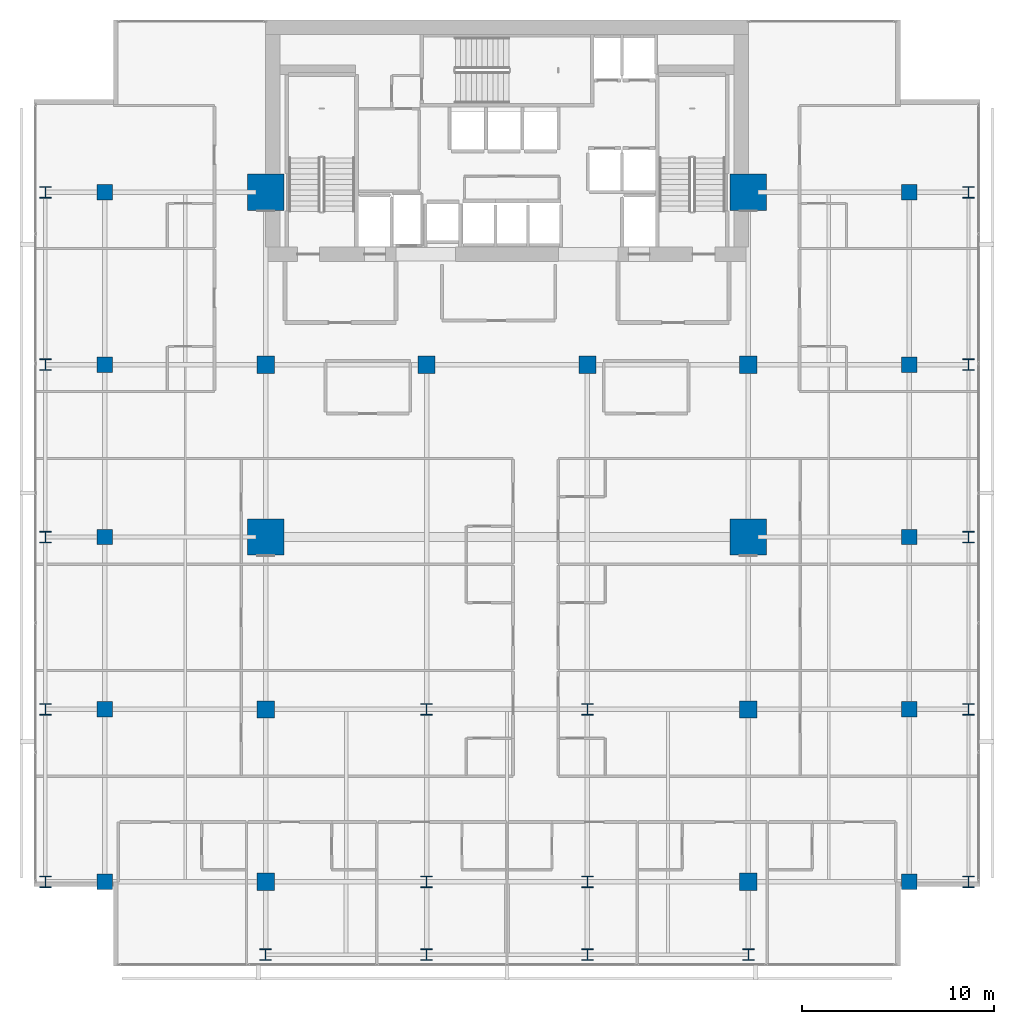
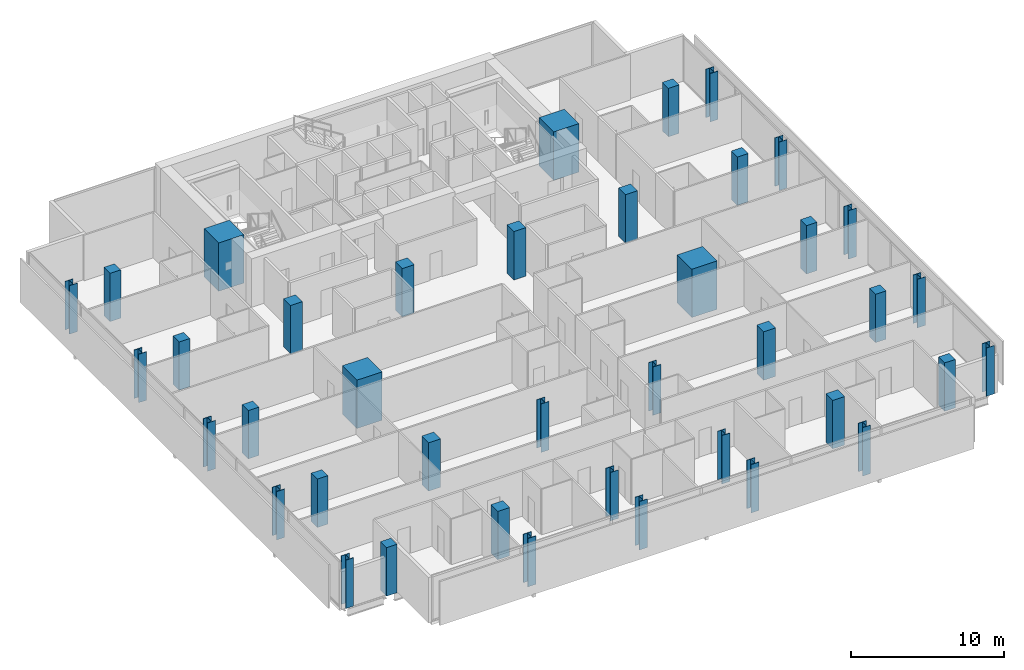
# One storey, part 1 of 33: 40 columns.
"""IFC4 building model written with IfcOpenShell, lengths in metres."""

import ifcopenshell
import ifcopenshell.guid

model = None  # the IFC model being written
_history = None  # IfcOwnerHistory: only IFC2X3 demands one
_inside = {}  # id of a spatial element -> (the spatial element, [elements in it])
_under = {}  # id of a project, library or spatial element -> (it, [spatial elements below it])
_declared = {}  # id of a project -> (the project, [libraries it declares])
_typed = {}  # id of a type object -> (the type object, [elements of that type])
_made_of = {}  # id of a material, layer set ... -> (it, [elements and type objects made of it])


def new_model(schema):
    """Start an empty IFC model of exactly this schema.

    Asked for "IFC4X3", IfcOpenShell would pick the latest addendum, in which some entities
    have other attributes; the version numbers below select the first issue.
    IFC2X3 requires an IfcOwnerHistory on every rooted entity: one is made here for all.
    """
    global model, _history
    if schema == "IFC4X3":
        model = ifcopenshell.file(schema_version=(4, 3, 0, 0))
    else:
        model = ifcopenshell.file(schema=schema)
    _inside.clear()
    _under.clear()
    _declared.clear()
    _typed.clear()
    _made_of.clear()
    _history = None
    if model.schema == "IFC2X3":
        org = make("IfcOrganization", Name="unknown")
        user = make(
            "IfcPersonAndOrganization",
            ThePerson=make("IfcPerson", FamilyName="unknown"),
            TheOrganization=org,
        )
        app = make(
            "IfcApplication",
            ApplicationDeveloper=org,
            Version="unknown",
            ApplicationFullName="unknown",
            ApplicationIdentifier="unknown",
        )
        _history = make(
            "IfcOwnerHistory",
            OwningUser=user,
            OwningApplication=app,
            ChangeAction="ADDED",
            CreationDate=0,
        )
    return model


def make(cls, **values):
    """One entity of the class cls with the attributes given. An attribute that is None is left unset."""
    return model.create_entity(
        cls, **{name: value for name, value in values.items() if value is not None}
    )


def rooted(cls, **values):
    """An entity with a GlobalId (a new one), such as an element, a storey or a relation."""
    return make(cls, GlobalId=ifcopenshell.guid.new(), OwnerHistory=_history, **values)


def si_unit(unit_type, name, prefix=None):
    """IfcSIUnit, for example si_unit("LENGTHUNIT", "METRE", prefix="MILLI")."""
    return make("IfcSIUnit", UnitType=unit_type, Prefix=prefix, Name=name)


def assignment(units):
    """IfcUnitAssignment: the units of a project."""
    return None if units is None else make("IfcUnitAssignment", Units=units)


def point(xyz):
    """IfcCartesianPoint."""
    return None if xyz is None else make("IfcCartesianPoint", Coordinates=xyz)


def direction(xyz):
    """IfcDirection."""
    return None if xyz is None else make("IfcDirection", DirectionRatios=xyz)


def frame(location, z_axis=None, x_axis=None):
    """IfcAxis2Placement3D, a coordinate frame: its origin and axes. An axis left out is left unset."""
    return make(
        "IfcAxis2Placement3D",
        Location=point(location),
        Axis=direction(z_axis),
        RefDirection=direction(x_axis),
    )


def frame_2d(location, x_axis=None):
    """IfcAxis2Placement2D, a coordinate frame in the plane: its origin and x axis."""
    return make(
        "IfcAxis2Placement2D", Location=point(location), RefDirection=direction(x_axis)
    )


def origin():
    """The frame at (0, 0, 0) with its axes left unset."""
    return frame((0.0, 0.0, 0.0))


def origin_2d():
    """The frame at (0, 0) in the plane with its x axis left unset."""
    return frame_2d((0.0, 0.0))


def place(relative_to, where):
    """IfcLocalPlacement: puts the frame where relative to a parent placement (None: the world)."""
    return make(
        "IfcLocalPlacement", PlacementRelTo=relative_to, RelativePlacement=where
    )


def context(
    kind, dimensions, precision=None, world=None, true_north=None, identifier=None
):
    """IfcGeometricRepresentationContext, for example the 3D "Model" context."""
    return make(
        "IfcGeometricRepresentationContext",
        ContextIdentifier=identifier,
        ContextType=kind,
        CoordinateSpaceDimension=dimensions,
        Precision=precision,
        WorldCoordinateSystem=world,
        TrueNorth=true_north,
    )


def subcontext(parent, identifier, kind, view, scale=None):
    """IfcGeometricRepresentationSubContext, for example "Body" below "Model"."""
    return make(
        "IfcGeometricRepresentationSubContext",
        ContextIdentifier=identifier,
        ContextType=kind,
        ParentContext=parent,
        TargetScale=scale,
        TargetView=view,
    )


def project(units=None, contexts=None):
    """IfcProject with its units and contexts."""
    return rooted(
        "IfcProject",
        Name="project",
        RepresentationContexts=contexts,
        UnitsInContext=assignment(units),
    )


def spatial(cls, under=None, at=None, **own):
    """A site, building, storey or space (cls), placed at a placement, below another one or the project."""
    s = rooted(cls, ObjectPlacement=at, **own)
    if under is not None:
        _under.setdefault(under.id(), (under, []))[1].append(s)
    return s


def profile(cls, at=None, kind="AREA", **sizes):
    """A parametric profile (cls). Its sizes go by their IFC names, for example OverallWidth=200.0."""
    return make(cls, ProfileType=kind, Position=at, **sizes)


def rectangle(**sizes):
    """IfcRectangleProfileDef."""
    return profile("IfcRectangleProfileDef", **sizes)


def i_section(**sizes):
    """IfcIShapeProfileDef."""
    return profile("IfcIShapeProfileDef", **sizes)


def extrude(swept, where, along, depth):
    """IfcExtrudedAreaSolid: the profile swept, set in the frame where, extruded along a direction by depth."""
    return make(
        "IfcExtrudedAreaSolid",
        SweptArea=swept,
        Position=where,
        ExtrudedDirection=direction(along),
        Depth=depth,
    )


def shape(context_of_items, identifier, shape_type, items):
    """IfcShapeRepresentation: the items that make up one representation, for example the "Body"."""
    return make(
        "IfcShapeRepresentation",
        ContextOfItems=context_of_items,
        RepresentationIdentifier=identifier,
        RepresentationType=shape_type,
        Items=items,
    )


def material(Name=None, Category=None):
    """IfcMaterial."""
    return make("IfcMaterial", Name=Name, Category=Category)


def material_profile(
    of_material, cross_section, Name=None, Category=None, Priority=None
):
    """IfcMaterialProfile: a cross section and its material."""
    return make(
        "IfcMaterialProfile",
        Name=Name,
        Material=of_material,
        Profile=cross_section,
        Priority=Priority,
        Category=Category,
    )


def profile_set(profiles, Name=None, composite=None):
    """IfcMaterialProfileSet."""
    return make(
        "IfcMaterialProfileSet",
        Name=Name,
        MaterialProfiles=profiles,
        CompositeProfile=composite,
    )


def made_of(thing, what):
    """Note that an element or type object is made of a material, layer set ...; save() writes the relation."""
    if what is not None:
        _made_of.setdefault(what.id(), (what, []))[1].append(thing)
    return thing


def type_object(cls, material=None, **own):
    """A type object (cls), such as IfcWallType, which elements share."""
    return made_of(rooted(cls, **own), material)


def element(
    cls,
    number,
    at=None,
    inside=None,
    cuts=None,
    type_object=None,
    material=None,
    context=None,
    identifier="Body",
    shape_type=None,
    held_by="IfcProductDefinitionShape",
    body=None,
    shapes=None,
    **own,
):
    """One element of the class cls, such as IfcWall. Its Tag is "e" and its number.

    at: its placement. inside: the storey or other place that contains it. cuts: it is an
    opening in that element (IfcRelVoidsElement). A single representation is given by context,
    identifier, shape_type and body (its items); several are given by shapes. held_by: the class
    of the entity that holds the representations. save() writes the other relations.
    """
    e = rooted(cls, Tag="e%d" % number, ObjectPlacement=at, **own)
    if body is not None:
        shapes = [shape(context, identifier, shape_type, body)]
    if shapes is not None:
        e.Representation = make(held_by, Representations=shapes)
    if inside is not None:
        _inside.setdefault(inside.id(), (inside, []))[1].append(e)
    if cuts is not None:
        rooted(
            "IfcRelVoidsElement", RelatingBuildingElement=cuts, RelatedOpeningElement=e
        )
    if type_object is not None:
        _typed.setdefault(type_object.id(), (type_object, []))[1].append(e)
    return made_of(e, material)


def aggregate(whole, parts):
    """IfcRelAggregates: a whole, such as a stair, and the parts it consists of."""
    return rooted("IfcRelAggregates", RelatingObject=whole, RelatedObjects=parts)


def save(model, path):
    """Write the relations noted so far, then the file.

    IfcRelAggregates (storeys below a building ...), IfcRelContainedInSpatialStructure (elements
    in a storey), IfcRelDefinesByType, IfcRelAssociatesMaterial and IfcRelDeclares: one each for
    every whole, place, type object, material and project.
    """
    for whole, parts in _under.values():
        aggregate(whole, parts)
    for where, things in _inside.values():
        rooted(
            "IfcRelContainedInSpatialStructure",
            RelatedElements=things,
            RelatingStructure=where,
        )
    for kind, things in _typed.values():
        rooted("IfcRelDefinesByType", RelatedObjects=things, RelatingType=kind)
    for what, things in _made_of.values():
        rooted("IfcRelAssociatesMaterial", RelatedObjects=things, RelatingMaterial=what)
    for by, libraries in _declared.values():
        rooted("IfcRelDeclares", RelatingContext=by, RelatedDefinitions=libraries)
    model.write(path)


model = new_model("IFC4")

# Units and contexts
model_context = context("Model", 3, precision=1e-05, world=origin(), true_north=direction((0.0, 1.0)))
body_context = subcontext(model_context, "Body", "Model", "MODEL_VIEW")
ifc_project = project(units=[si_unit("LENGTHUNIT", "METRE"), si_unit("AREAUNIT", "SQUARE_METRE"), si_unit("VOLUMEUNIT", "CUBIC_METRE"), si_unit("PLANEANGLEUNIT", "RADIAN"), si_unit("MASSUNIT", "GRAM", prefix="KILO")], contexts=[model_context])

# Site, building, storey
site_placement = place(None, origin())
site = spatial("IfcSite", under=ifc_project, at=site_placement, CompositionType="ELEMENT")
building_placement = place(site_placement, origin())
building = spatial("IfcBuilding", under=site, at=building_placement, Name="Maruvema Waterfront Hotel and Observation Tower", CompositionType="ELEMENT")
storey_placement = place(building_placement, frame((0.0, 0.0, 150.5)))
storey = spatial("IfcBuildingStorey", under=building, at=storey_placement, Name="L36", CompositionType="ELEMENT", Elevation=150.5)

# Columns
ifc_material_1 = material(Name="Concrete C80/95", Category="concrete")
ifc_material_profile_1 = material_profile(ifc_material_1, rectangle(XDim=1.89990234375, YDim=1.89990234375, at=origin_2d()), Name="MC1900x1900")
ifc_profile_set_1 = profile_set([ifc_material_profile_1], Name="Concrete C80/95")
column_type_1 = type_object("IfcColumnType", Name="Continuous Mega-Column MC1900x1900", PredefinedType="COLUMN", material=ifc_profile_set_1)
for number, where, z_axis, x_axis, name in (
    (1, (25.199951171875, 27.0, 0.0), (0.0, 0.0, 1.0), (1.0, 0.0, 0.0), "L36 Continuous Mega-Column MC-01"),
    (2, (50.39990234375, 27.0, 0.0), (0.0, 0.0, 1.0), (1.0, 0.0, 0.0), "L36 Continuous Mega-Column MC-02"),
    (3, (25.199951171875, 45.0, 0.0), (0.0, 0.0, 1.0), (1.0, 0.0, 0.0), "L36 Continuous Mega-Column MC-03"),
    (4, (50.39990234375, 45.0, 0.0), (0.0, 0.0, 1.0), (1.0, 0.0, 0.0), "L36 Continuous Mega-Column MC-04"),
):
    element("IfcColumn", number, at=place(storey_placement, frame(where, z_axis=z_axis, x_axis=x_axis)), inside=storey, type_object=column_type_1, Name=name, PredefinedType="COLUMN", context=body_context, shape_type="SweptSolid", body=[
        extrude(rectangle(XDim=1.89990234375, YDim=1.89990234375, at=origin_2d()), origin(), (0.0, 0.0, 1.0), 3.85009765625),
    ])
ifc_material_2 = material(Name="Concrete C60/75", Category="concrete")
ifc_material_profile_2 = material_profile(ifc_material_2, rectangle(XDim=0.800048828125, YDim=0.800048828125, at=origin_2d()), Name="RC800x800")
ifc_profile_set_2 = profile_set([ifc_material_profile_2], Name="Concrete C60/75")
column_type_2 = type_object("IfcColumnType", Name="Reinforced Concrete Column RC800x800", PredefinedType="COLUMN", material=ifc_profile_set_2)
for number, where, z_axis, x_axis, name in (
    (5, (16.800048828125, 9.0, 0.0), (0.0, 0.0, 1.0), (1.0, 0.0, 0.0), "L36 Column C-3Y9"),
    (6, (58.800048828125, 9.0, 0.0), (0.0, 0.0, 1.0), (1.0, 0.0, 0.0), "L36 Column C-8Y9"),
    (7, (16.800048828125, 18.0, 0.0), (0.0, 0.0, 1.0), (1.0, 0.0, 0.0), "L36 Column C-3Y18"),
    (8, (58.800048828125, 18.0, 0.0), (0.0, 0.0, 1.0), (1.0, 0.0, 0.0), "L36 Column C-8Y18"),
    (9, (16.800048828125, 27.0, 0.0), (0.0, 0.0, 1.0), (1.0, 0.0, 0.0), "L36 Column C-3Y27"),
    (10, (58.800048828125, 27.0, 0.0), (0.0, 0.0, 1.0), (1.0, 0.0, 0.0), "L36 Column C-8Y27"),
    (11, (16.800048828125, 36.0, 0.0), (0.0, 0.0, 1.0), (1.0, 0.0, 0.0), "L36 Column C-3Y36"),
    (12, (58.800048828125, 36.0, 0.0), (0.0, 0.0, 1.0), (1.0, 0.0, 0.0), "L36 Column C-8Y36"),
    (13, (16.800048828125, 45.0, 0.0), (0.0, 0.0, 1.0), (1.0, 0.0, 0.0), "L36 Column C-3Y45"),
    (14, (58.800048828125, 45.0, 0.0), (0.0, 0.0, 1.0), (1.0, 0.0, 0.0), "L36 Column C-8Y45"),
):
    element("IfcColumn", number, at=place(storey_placement, frame(where, z_axis=z_axis, x_axis=x_axis)), inside=storey, type_object=column_type_2, Name=name, PredefinedType="COLUMN", context=body_context, shape_type="SweptSolid", body=[
        extrude(rectangle(XDim=0.800048828125, YDim=0.800048828125, at=origin_2d()), origin(), (0.0, 0.0, 1.0), 3.85009765625),
    ])
ifc_material_3 = material(Name="Concrete C60/75", Category="concrete")
ifc_material_profile_3 = material_profile(ifc_material_3, rectangle(XDim=0.89990234375, YDim=0.89990234375, at=origin_2d()), Name="RC900x900")
ifc_profile_set_3 = profile_set([ifc_material_profile_3], Name="Concrete C60/75")
column_type_3 = type_object("IfcColumnType", Name="Reinforced Concrete Column RC900x900", PredefinedType="COLUMN", material=ifc_profile_set_3)
for number, where, z_axis, x_axis, name in (
    (15, (25.199951171875, 36.0, 0.0), (0.0, 0.0, 1.0), (1.0, 0.0, 0.0), "L36 Column C-4E"),
    (16, (33.60009765625, 36.0, 0.0), (0.0, 0.0, 1.0), (1.0, 0.0, 0.0), "L36 Column C-5E"),
    (17, (42.0, 36.0, 0.0), (0.0, 0.0, 1.0), (1.0, 0.0, 0.0), "L36 Column C-6E"),
    (18, (50.39990234375, 36.0, 0.0), (0.0, 0.0, 1.0), (1.0, 0.0, 0.0), "L36 Column C-7E"),
    (19, (25.199951171875, 18.0, 0.0), (0.0, 0.0, 1.0), (1.0, 0.0, 0.0), "L36 Column C-4C"),
    (20, (50.39990234375, 18.0, 0.0), (0.0, 0.0, 1.0), (1.0, 0.0, 0.0), "L36 Column C-7C"),
    (21, (25.199951171875, 9.0, 0.0), (0.0, 0.0, 1.0), (1.0, 0.0, 0.0), "L36 Column C-4B"),
    (22, (50.39990234375, 9.0, 0.0), (0.0, 0.0, 1.0), (1.0, 0.0, 0.0), "L36 Column C-7B"),
):
    element("IfcColumn", number, at=place(storey_placement, frame(where, z_axis=z_axis, x_axis=x_axis)), inside=storey, type_object=column_type_3, Name=name, PredefinedType="COLUMN", context=body_context, shape_type="SweptSolid", body=[
        extrude(rectangle(XDim=0.89990234375, YDim=0.89990234375, at=origin_2d()), origin(), (0.0, 0.0, 1.0), 3.85009765625),
    ])
ifc_material_4 = material(Name="Steel ABNT NBR 7007 AR 415 (ASTM A572 Grade 50)", Category="steel")
ifc_material_profile_4 = material_profile(ifc_material_4, i_section(OverallWidth=0.60009765625, OverallDepth=0.60009765625, WebThickness=0.02490234375, FlangeThickness=0.0380859375, at=origin_2d()), Name="CVS600x317")
ifc_profile_set_4 = profile_set([ifc_material_profile_4], Name="Steel ABNT NBR 7007 AR 415 (ASTM A572 Grade 50)")
column_type_4 = type_object("IfcColumnType", Name="Structural Steel Column CVS600x317", PredefinedType="COLUMN", material=ifc_profile_set_4)
for number, where, z_axis, x_axis, name in (
    (23, (33.60009765625, 9.0, 0.0), (0.0, 0.0, 1.0), (1.0, 0.0, 0.0), "L36 Column C-5B"),
    (24, (42.0, 9.0, 0.0), (0.0, 0.0, 1.0), (1.0, 0.0, 0.0), "L36 Column C-6B"),
    (25, (33.60009765625, 18.0, 0.0), (0.0, 0.0, 1.0), (1.0, 0.0, 0.0), "L36 Column C-5C"),
    (26, (42.0, 18.0, 0.0), (0.0, 0.0, 1.0), (1.0, 0.0, 0.0), "L36 Column C-6C"),
    (27, (13.699951171875, 9.0, 0.0), (0.0, 0.0, 1.0), (1.0, 0.0, 0.0), "L36 Column C-Z2W9"),
    (28, (61.89990234375, 9.0, 0.0), (0.0, 0.0, 1.0), (1.0, 0.0, 0.0), "L36 Column C-Z2E9"),
    (29, (13.699951171875, 18.0, 0.0), (0.0, 0.0, 1.0), (1.0, 0.0, 0.0), "L36 Column C-Z2W18"),
    (30, (61.89990234375, 18.0, 0.0), (0.0, 0.0, 1.0), (1.0, 0.0, 0.0), "L36 Column C-Z2E18"),
    (31, (13.699951171875, 27.0, 0.0), (0.0, 0.0, 1.0), (1.0, 0.0, 0.0), "L36 Column C-Z2W27"),
    (32, (61.89990234375, 27.0, 0.0), (0.0, 0.0, 1.0), (1.0, 0.0, 0.0), "L36 Column C-Z2E27"),
    (33, (13.699951171875, 36.0, 0.0), (0.0, 0.0, 1.0), (1.0, 0.0, 0.0), "L36 Column C-Z2W36"),
    (34, (61.89990234375, 36.0, 0.0), (0.0, 0.0, 1.0), (1.0, 0.0, 0.0), "L36 Column C-Z2E36"),
    (35, (13.699951171875, 45.0, 0.0), (0.0, 0.0, 1.0), (1.0, 0.0, 0.0), "L36 Column C-Z2W45"),
    (36, (61.89990234375, 45.0, 0.0), (0.0, 0.0, 1.0), (1.0, 0.0, 0.0), "L36 Column C-Z2E45"),
    (37, (25.199951171875, 5.199951171875, 0.0), (0.0, 0.0, 1.0), (1.0, 0.0, 0.0), "L36 Column C-Z2S4"),
    (38, (33.60009765625, 5.199951171875, 0.0), (0.0, 0.0, 1.0), (1.0, 0.0, 0.0), "L36 Column C-Z2S5"),
    (39, (42.0, 5.199951171875, 0.0), (0.0, 0.0, 1.0), (1.0, 0.0, 0.0), "L36 Column C-Z2S6"),
    (40, (50.39990234375, 5.199951171875, 0.0), (0.0, 0.0, 1.0), (1.0, 0.0, 0.0), "L36 Column C-Z2S7"),
):
    element("IfcColumn", number, at=place(storey_placement, frame(where, z_axis=z_axis, x_axis=x_axis)), inside=storey, type_object=column_type_4, Name=name, PredefinedType="COLUMN", context=body_context, shape_type="SweptSolid", body=[
        extrude(i_section(OverallWidth=0.60009765625, OverallDepth=0.60009765625, WebThickness=0.02490234375, FlangeThickness=0.0380859375, at=origin_2d()), origin(), (0.0, 0.0, 1.0), 3.85009765625),
    ])

save(model, "model.ifc")
